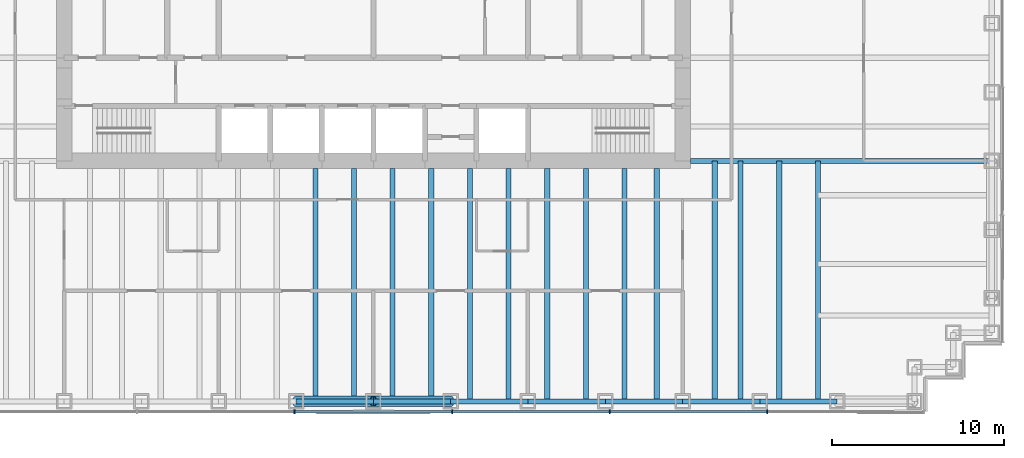
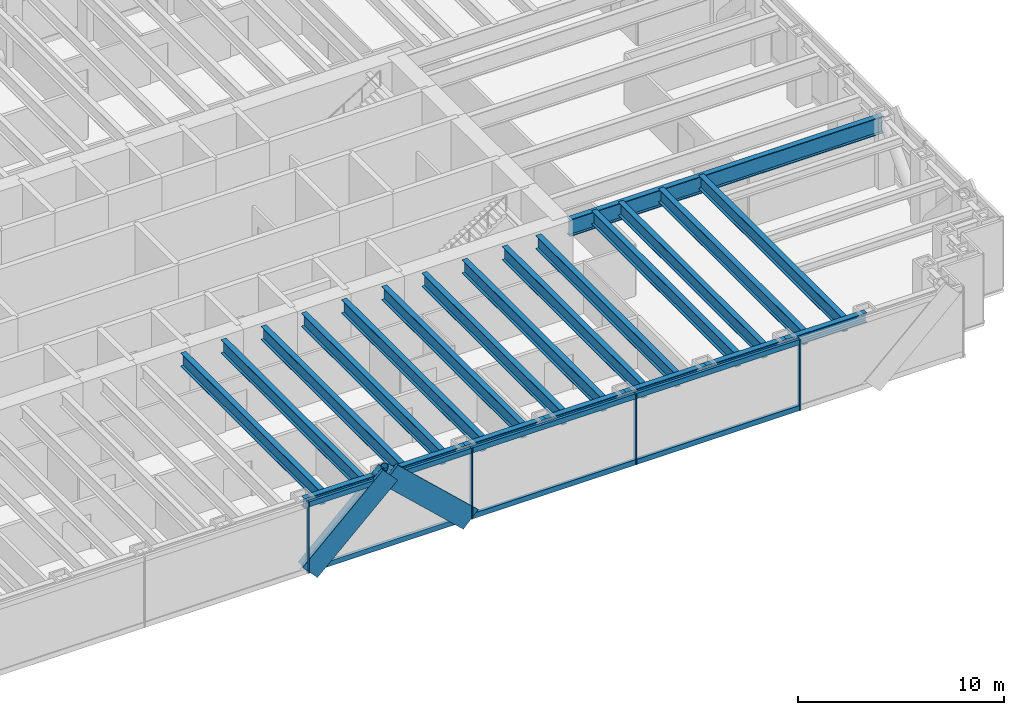
# One storey, part 4 of 15: 22 beams, 14 members, 1 element without a shape of its own.
"""IFC4 building model written with IfcOpenShell, lengths in metres."""

from ifc_helpers import new_model, si_unit, direction, frame, origin, origin_2d, place, context, subcontext, project, spatial, rectangle, hollow_circle, i_section, extrude, material, material_profile, profile_set, type_object, element, aggregate, save


model = new_model("IFC4")

# Units and contexts
model_context = context("Model", 3, precision=1e-05, world=origin(), true_north=direction((0.0, 1.0)))
body_context = subcontext(model_context, "Body", "Model", "MODEL_VIEW")
ifc_project = project(units=[si_unit("LENGTHUNIT", "METRE"), si_unit("AREAUNIT", "SQUARE_METRE"), si_unit("VOLUMEUNIT", "CUBIC_METRE"), si_unit("PLANEANGLEUNIT", "RADIAN"), si_unit("MASSUNIT", "GRAM", prefix="KILO")], contexts=[model_context])

# Site, building, storey
site_placement = place(None, origin())
site = spatial("IfcSite", under=ifc_project, at=site_placement, CompositionType="ELEMENT")
building_placement = place(site_placement, origin())
building = spatial("IfcBuilding", under=site, at=building_placement, Name="Rheinbord Bourse Tower", CompositionType="ELEMENT")
storey_placement = place(building_placement, frame((0.0, 0.0, 150.89990234375)))
storey = spatial("IfcBuildingStorey", under=building, at=storey_placement, Name="L33", CompositionType="ELEMENT", Elevation=150.89990234375)

# Curtain wall, members
ifc_material_1 = material(Name="Dark glass and black aluminium", Category="aluminium")
curtain_wall_type = type_object("IfcCurtainWallType", Name="CW2 DARK GLASS CURTAIN WALL", PredefinedType="USERDEFINED", material=ifc_material_1)
curtain_wall_placement = place(storey_placement, origin())
curtain_wall = element("IfcCurtainWall", 1, at=curtain_wall_placement, inside=storey, type_object=curtain_wall_type, Name="Curtain wall CW2 S L33", ObjectType="UNITISED CURTAIN WALL", PredefinedType="USERDEFINED")
ifc_material_2 = material(Name="Black anodised aluminium", Category="aluminium")
ifc_material_profile_1 = material_profile(ifc_material_2, rectangle(XDim=0.159912109375, YDim=1.2099609375, at=origin_2d()), Name="CW2 DIAGONAL MULLION 1210x160")
ifc_profile_set_1 = profile_set([ifc_material_profile_1], Name="Black anodised aluminium")
member_type_1 = type_object("IfcMemberType", Name="CW2 BLACK DIAGONAL MULLION", PredefinedType="USERDEFINED", material=ifc_profile_set_1)
member_1_placement = place(storey_placement, frame((31.5, 1.39990234375, 0.0), z_axis=(0.731039441158, 0.0, 0.682335207557), x_axis=(0.0, 1.0, 0.0)))
member_1 = element("IfcMember", 2, at=member_1_placement, type_object=member_type_1, Name="CW2 diagonal mullion a", ObjectType="DIAGONAL MULLION", PredefinedType="USERDEFINED", context=body_context, shape_type="SweptSolid", body=[
    extrude(rectangle(XDim=0.159912109375, YDim=1.2099609375, at=origin_2d()), origin(), (0.0, 0.0, 1.0), 6.155517578125),
])
member_2_placement = place(storey_placement, frame((40.5, 1.39990234375, 0.0), z_axis=(-0.731039441158, 0.0, 0.682335207557), x_axis=(0.0, -1.0, 0.0)))
member_2 = element("IfcMember", 3, at=member_2_placement, type_object=member_type_1, Name="CW2 diagonal mullion b", ObjectType="DIAGONAL MULLION", PredefinedType="USERDEFINED", context=body_context, shape_type="SweptSolid", body=[
    extrude(rectangle(XDim=0.159912109375, YDim=1.2099609375, at=origin_2d()), origin(), (0.0, 0.0, 1.0), 6.155517578125),
])
ifc_material_3 = material(Name="Black anodised aluminium", Category="aluminium")
ifc_material_profile_2 = material_profile(ifc_material_3, rectangle(XDim=0.219970703125, YDim=0.070068359375, at=origin_2d()), Name="CW2 MULLION 70x220")
ifc_profile_set_2 = profile_set([ifc_material_profile_2], Name="Black anodised aluminium")
member_type_2 = type_object("IfcMemberType", Name="CW2 BLACK MULLION", PredefinedType="MULLION", material=ifc_profile_set_2)
member_3_placement = place(storey_placement, frame((31.414306640625, 1.39990234375, 0.0), z_axis=(0.0, 0.0, 1.0), x_axis=(0.0, 1.0, 0.0)))
member_3 = element("IfcMember", 4, at=member_3_placement, type_object=member_type_2, Name="CW2 mullion 4", PredefinedType="MULLION", context=body_context, shape_type="SweptSolid", body=[
    extrude(rectangle(XDim=0.219970703125, YDim=0.070068359375, at=origin_2d()), origin(), (0.0, 0.0, 1.0), 4.2001953125),
])
member_4_placement = place(storey_placement, frame((40.585693359375, 1.39990234375, 0.0), z_axis=(0.0, 0.0, 1.0), x_axis=(0.0, 1.0, 0.0)))
member_4 = element("IfcMember", 5, at=member_4_placement, type_object=member_type_2, Name="CW2 mullion 5", PredefinedType="MULLION", context=body_context, shape_type="SweptSolid", body=[
    extrude(rectangle(XDim=0.219970703125, YDim=0.070068359375, at=origin_2d()), origin(), (0.0, 0.0, 1.0), 4.2001953125),
])
member_5_placement = place(storey_placement, frame((49.757080078125, 1.39990234375, 0.0), z_axis=(0.0, 0.0, 1.0), x_axis=(0.0, 1.0, 0.0)))
member_5 = element("IfcMember", 6, at=member_5_placement, type_object=member_type_2, Name="CW2 mullion 6", PredefinedType="MULLION", context=body_context, shape_type="SweptSolid", body=[
    extrude(rectangle(XDim=0.219970703125, YDim=0.070068359375, at=origin_2d()), origin(), (0.0, 0.0, 1.0), 4.2001953125),
])
member_6_placement = place(storey_placement, frame((58.928466796875, 1.39990234375, 0.0), z_axis=(0.0, 0.0, 1.0), x_axis=(0.0, 1.0, 0.0)))
member_6 = element("IfcMember", 7, at=member_6_placement, type_object=member_type_2, Name="CW2 mullion 7", PredefinedType="MULLION", context=body_context, shape_type="SweptSolid", body=[
    extrude(rectangle(XDim=0.219970703125, YDim=0.070068359375, at=origin_2d()), origin(), (0.0, 0.0, 1.0), 4.2001953125),
])
ifc_material_4 = material(Name="Black anodised aluminium", Category="aluminium")
ifc_material_profile_3 = material_profile(ifc_material_4, rectangle(XDim=0.159912109375, YDim=0.300048828125, at=origin_2d()), Name="CW2 TRANSOM 300x160")
ifc_profile_set_3 = profile_set([ifc_material_profile_3], Name="Black anodised aluminium")
member_type_3 = type_object("IfcMemberType", Name="CW2 BLACK TRANSOM", PredefinedType="USERDEFINED", material=ifc_profile_set_3)
member_7_placement = place(storey_placement, frame((31.44921875, 1.39990234375, 0.150146484375), z_axis=(1.0, 0.0, 0.0), x_axis=(0.0, 1.0, 0.0)))
member_7 = element("IfcMember", 8, at=member_7_placement, type_object=member_type_3, Name="CW2 transom 4.1", ObjectType="TRANSOM", PredefinedType="USERDEFINED", context=body_context, shape_type="SweptSolid", body=[
    extrude(rectangle(XDim=0.159912109375, YDim=0.300048828125, at=origin_2d()), origin(), (0.0, 0.0, 1.0), 9.1015625),
])
member_8_placement = place(storey_placement, frame((31.44921875, 1.39990234375, 4.050048828125), z_axis=(1.0, 0.0, 0.0), x_axis=(0.0, 1.0, 0.0)))
member_8 = element("IfcMember", 9, at=member_8_placement, type_object=member_type_3, Name="CW2 transom 4.2", ObjectType="TRANSOM", PredefinedType="USERDEFINED", context=body_context, shape_type="SweptSolid", body=[
    extrude(rectangle(XDim=0.159912109375, YDim=0.300048828125, at=origin_2d()), origin(), (0.0, 0.0, 1.0), 9.1015625),
])
member_9_placement = place(storey_placement, frame((40.62060546875, 1.39990234375, 0.150146484375), z_axis=(1.0, 0.0, 0.0), x_axis=(0.0, 1.0, 0.0)))
member_9 = element("IfcMember", 10, at=member_9_placement, type_object=member_type_3, Name="CW2 transom 5.1", ObjectType="TRANSOM", PredefinedType="USERDEFINED", context=body_context, shape_type="SweptSolid", body=[
    extrude(rectangle(XDim=0.159912109375, YDim=0.300048828125, at=origin_2d()), origin(), (0.0, 0.0, 1.0), 9.1015625),
])
member_10_placement = place(storey_placement, frame((40.62060546875, 1.39990234375, 4.050048828125), z_axis=(1.0, 0.0, 0.0), x_axis=(0.0, 1.0, 0.0)))
member_10 = element("IfcMember", 11, at=member_10_placement, type_object=member_type_3, Name="CW2 transom 5.2", ObjectType="TRANSOM", PredefinedType="USERDEFINED", context=body_context, shape_type="SweptSolid", body=[
    extrude(rectangle(XDim=0.159912109375, YDim=0.300048828125, at=origin_2d()), origin(), (0.0, 0.0, 1.0), 9.1015625),
])
member_11_placement = place(storey_placement, frame((49.792236328125, 1.39990234375, 0.150146484375), z_axis=(1.0, 0.0, 0.0), x_axis=(0.0, 1.0, 0.0)))
member_11 = element("IfcMember", 12, at=member_11_placement, type_object=member_type_3, Name="CW2 transom 6.1", ObjectType="TRANSOM", PredefinedType="USERDEFINED", context=body_context, shape_type="SweptSolid", body=[
    extrude(rectangle(XDim=0.159912109375, YDim=0.300048828125, at=origin_2d()), origin(), (0.0, 0.0, 1.0), 9.101318359375),
])
member_12_placement = place(storey_placement, frame((49.792236328125, 1.39990234375, 4.050048828125), z_axis=(1.0, 0.0, 0.0), x_axis=(0.0, 1.0, 0.0)))
member_12 = element("IfcMember", 13, at=member_12_placement, type_object=member_type_3, Name="CW2 transom 6.2", ObjectType="TRANSOM", PredefinedType="USERDEFINED", context=body_context, shape_type="SweptSolid", body=[
    extrude(rectangle(XDim=0.159912109375, YDim=0.300048828125, at=origin_2d()), origin(), (0.0, 0.0, 1.0), 9.101318359375),
])
aggregate(curtain_wall, [member_3, member_4, member_5, member_6, member_7, member_8, member_9, member_10, member_11, member_12, member_1, member_2])

# Beams
ifc_material_5 = material(Name="Steel S460", Category="steel")
ifc_material_profile_4 = material_profile(ifc_material_5, i_section(OverallWidth=0.300048828125, OverallDepth=0.800048828125, WebThickness=0.017578125, FlangeThickness=0.032958984375, at=origin_2d()), Name="HEB 800")
ifc_profile_set_4 = profile_set([ifc_material_profile_4], Name="Steel S460")
beam_type_1 = type_object("IfcBeamType", Name="FLOOR BEAM HEB 800", PredefinedType="BEAM", material=ifc_profile_set_4)
for number, where, z_axis, x_axis, name in (
    (14, (32.625, 2.0, 3.64013671875), (0.0, 1.0, 0.0), (-1.0, 0.0, 0.0), "Floor beam S-31.5a L34"),
    (15, (34.875, 2.0, 3.64013671875), (0.0, 1.0, 0.0), (-1.0, 0.0, 0.0), "Floor beam S-31.5b L34"),
    (16, (37.125, 2.0, 3.64013671875), (0.0, 1.0, 0.0), (-1.0, 0.0, 0.0), "Floor beam S-36a L34"),
    (17, (39.375, 2.0, 3.64013671875), (0.0, 1.0, 0.0), (-1.0, 0.0, 0.0), "Floor beam S-36b L34"),
    (18, (41.625, 2.0, 3.64013671875), (0.0, 1.0, 0.0), (-1.0, 0.0, 0.0), "Floor beam S-40.5a L34"),
    (19, (43.875, 2.0, 3.64013671875), (0.0, 1.0, 0.0), (-1.0, 0.0, 0.0), "Floor beam S-40.5b L34"),
    (20, (46.125, 2.0, 3.64013671875), (0.0, 1.0, 0.0), (-1.0, 0.0, 0.0), "Floor beam S-45a L34"),
    (21, (48.375, 2.0, 3.64013671875), (0.0, 1.0, 0.0), (-1.0, 0.0, 0.0), "Floor beam S-45b L34"),
    (22, (50.625, 2.0, 3.64013671875), (0.0, 1.0, 0.0), (-1.0, 0.0, 0.0), "Floor beam S-49.5a L34"),
    (23, (52.5, 2.0, 3.64013671875), (0.0, 1.0, 0.0), (-1.0, 0.0, 0.0), "Floor beam S-49.5b L34"),
):
    element("IfcBeam", number, at=place(storey_placement, frame(where, z_axis=z_axis, x_axis=x_axis)), inside=storey, type_object=beam_type_1, Name=name, PredefinedType="BEAM", context=body_context, shape_type="SweptSolid", body=[
        extrude(i_section(OverallWidth=0.300048828125, OverallDepth=0.800048828125, WebThickness=0.017578125, FlangeThickness=0.032958984375, at=origin_2d()), origin(), (0.0, 0.0, 1.0), 13.550048828125),
    ])
for number, where, z_axis, x_axis, name in (
    (24, (55.875, 2.0, 3.64013671875), (0.0, 1.0, 0.0), (-1.0, 0.0, 0.0), "Floor beam S-54a L34"),
    (25, (57.375, 2.0, 3.64013671875), (0.0, 1.0, 0.0), (-1.0, 0.0, 0.0), "Floor beam S-54b L34"),
    (26, (59.625, 2.0, 3.64013671875), (0.0, 1.0, 0.0), (-1.0, 0.0, 0.0), "Floor beam S-58.5a L34"),
    (27, (61.875, 2.0, 3.64013671875), (0.0, 1.0, 0.0), (-1.0, 0.0, 0.0), "Floor beam S-58.5b L34"),
):
    element("IfcBeam", number, at=place(storey_placement, frame(where, z_axis=z_axis, x_axis=x_axis)), inside=storey, type_object=beam_type_1, Name=name, PredefinedType="BEAM", context=body_context, shape_type="SweptSolid", body=[
        extrude(i_section(OverallWidth=0.300048828125, OverallDepth=0.800048828125, WebThickness=0.017578125, FlangeThickness=0.032958984375, at=origin_2d()), origin(), (0.0, 0.0, 1.0), 14.0),
    ])
ifc_material_6 = material(Name="Steel S460", Category="steel")
ifc_material_profile_5 = material_profile(ifc_material_6, i_section(OverallWidth=0.302001953125, OverallDepth=1.008056640625, WebThickness=0.02099609375, FlangeThickness=0.0400390625, at=origin_2d()), Name="HEM 1000")
ifc_profile_set_5 = profile_set([ifc_material_profile_5], Name="Steel S460")
beam_type_2 = type_object("IfcBeamType", Name="GIRDER HEM 1000", PredefinedType="BEAM", material=ifc_profile_set_5)
beam_placement = place(storey_placement, frame((54.449951171875, 16.0, 3.5361328125), z_axis=(1.0, 0.0, 0.0), x_axis=(0.0, 1.0, 0.0)))
element("IfcBeam", 28, at=beam_placement, inside=storey, type_object=beam_type_2, Name="Girder east 16 L34", PredefinedType="BEAM", context=body_context, shape_type="SweptSolid", body=[
    extrude(i_section(OverallWidth=0.302001953125, OverallDepth=1.008056640625, WebThickness=0.02099609375, FlangeThickness=0.0400390625, at=origin_2d()), origin(), (0.0, 0.0, 1.0), 17.550048828125),
])

# Members
ifc_material_7 = material(Name="Steel S460", Category="steel")
ifc_material_profile_6 = material_profile(ifc_material_7, hollow_circle(Radius=0.304931640625, WallThickness=0.0400390625, at=origin_2d()), Name="CHS 610x40")
ifc_profile_set_6 = profile_set([ifc_material_profile_6], Name="Steel S460")
member_type_4 = type_object("IfcMemberType", Name="MEGABRACE CHS 610x40", PredefinedType="BRACE", material=ifc_profile_set_6)
for number, where, z_axis, x_axis, name in (
    (29, (31.5, 2.0, 0.0), (0.731039441158, 0.0, 0.682335207557), (0.0, 1.0, 0.0), "Megabrace S face line a L33"),
    (30, (40.5, 2.0, 0.0), (-0.731039441158, 0.0, 0.682335207557), (0.0, -1.0, 0.0), "Megabrace S face line b L33"),
):
    element("IfcMember", number, at=place(storey_placement, frame(where, z_axis=z_axis, x_axis=x_axis)), inside=storey, type_object=member_type_4, Name=name, PredefinedType="BRACE", context=body_context, shape_type="SweptSolid", body=[
        extrude(hollow_circle(Radius=0.304931640625, WallThickness=0.0400390625, at=origin_2d()), origin(), (0.0, 0.0, 1.0), 6.155517578125),
    ])

# Beams
ifc_material_8 = material(Name="Steel S460", Category="steel")
ifc_material_profile_7 = material_profile(ifc_material_8, i_section(OverallWidth=0.305908203125, OverallDepth=0.572021484375, WebThickness=0.02099609375, FlangeThickness=0.0400390625, at=origin_2d()), Name="HEM 550")
ifc_profile_set_7 = profile_set([ifc_material_profile_7], Name="Steel S460")
beam_type_3 = type_object("IfcBeamType", Name="SPANDREL HEM 550", PredefinedType="SPANDREL", material=ifc_profile_set_7)
for number, where, z_axis, x_axis, name in (
    (31, (31.5, 2.0, 3.754150390625), (1.0, 0.0, 0.0), (0.0, 1.0, 0.0), "Spandrel S-31.5-S-36 under L34"),
    (32, (36.0, 2.0, 3.754150390625), (1.0, 0.0, 0.0), (0.0, 1.0, 0.0), "Spandrel S-36-S-40.5 under L34"),
    (33, (40.5, 2.0, 3.754150390625), (1.0, 0.0, 0.0), (0.0, 1.0, 0.0), "Spandrel S-40.5-S-45 under L34"),
    (34, (45.0, 2.0, 3.754150390625), (1.0, 0.0, 0.0), (0.0, 1.0, 0.0), "Spandrel S-45-S-49.5 under L34"),
    (35, (49.5, 2.0, 3.754150390625), (1.0, 0.0, 0.0), (0.0, 1.0, 0.0), "Spandrel S-49.5-S-54 under L34"),
    (36, (54.0, 2.0, 3.754150390625), (1.0, 0.0, 0.0), (0.0, 1.0, 0.0), "Spandrel S-54-S-58.5 under L34"),
    (37, (58.5, 2.0, 3.754150390625), (1.0, 0.0, 0.0), (0.0, 1.0, 0.0), "Spandrel S-58.5-S-63 under L34"),
):
    element("IfcBeam", number, at=place(storey_placement, frame(where, z_axis=z_axis, x_axis=x_axis)), inside=storey, type_object=beam_type_3, Name=name, PredefinedType="SPANDREL", context=body_context, shape_type="SweptSolid", body=[
        extrude(i_section(OverallWidth=0.305908203125, OverallDepth=0.572021484375, WebThickness=0.02099609375, FlangeThickness=0.0400390625, at=origin_2d()), origin(), (0.0, 0.0, 1.0), 4.5),
    ])

save(model, "model.ifc")
